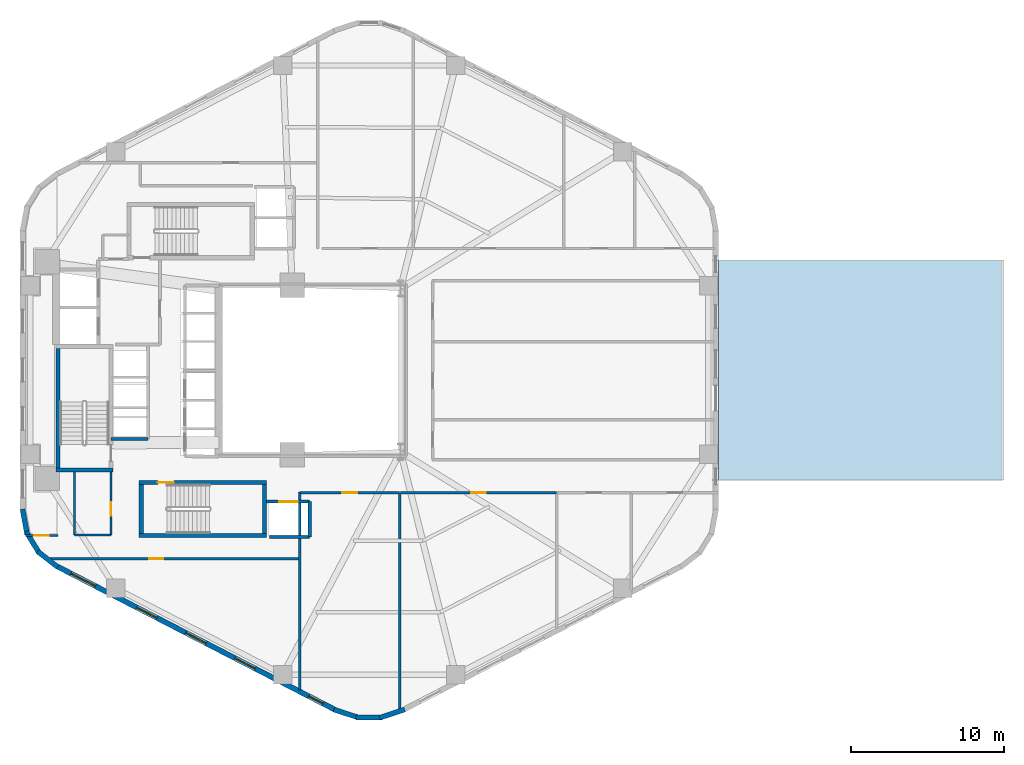
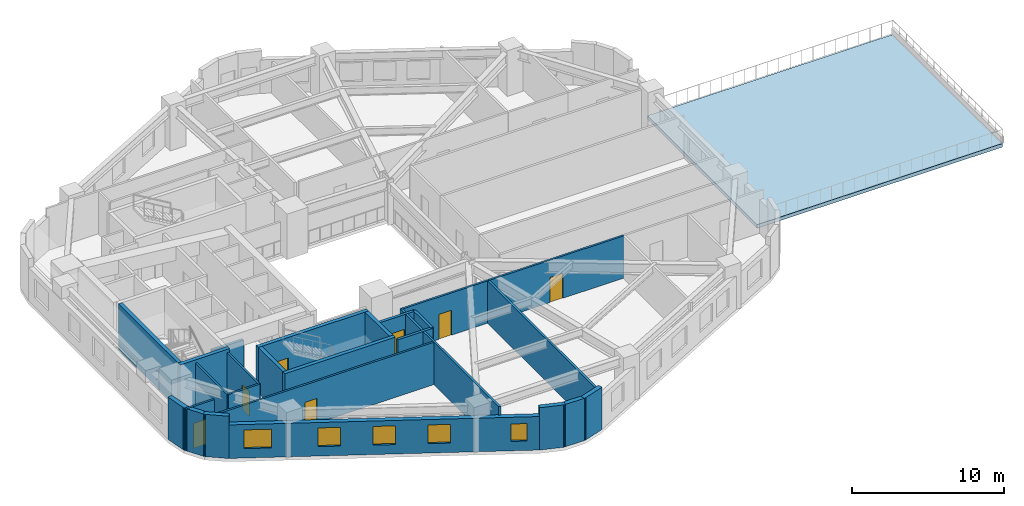
# One storey, part 2 of 8: 26 walls, 7 doors, 5 windows, 1 slab, 12 openings, 1 element without a shape of its own.
"""IFC4 building model written with IfcOpenShell, lengths in metres."""

from ifc_helpers import new_model, si_unit, direction, frame, frame_2d, origin, place, context, subcontext, project, spatial, polyline, rectangle, outline, extrude, material, layer, layer_set, type_object, element, fill, aggregate, save


model = new_model("IFC4")

# Units and contexts
model_context = context("Model", 3, precision=1e-05, world=origin(), true_north=direction((0.0, 1.0)))
body_context = subcontext(model_context, "Body", "Model", "MODEL_VIEW")
ifc_project = project(units=[si_unit("LENGTHUNIT", "METRE"), si_unit("AREAUNIT", "SQUARE_METRE"), si_unit("VOLUMEUNIT", "CUBIC_METRE"), si_unit("PLANEANGLEUNIT", "RADIAN"), si_unit("MASSUNIT", "GRAM", prefix="KILO"), si_unit("THERMODYNAMICTEMPERATUREUNIT", "KELVIN"), si_unit("POWERUNIT", "WATT")], contexts=[model_context])

# Site, building, storey
site_placement = place(None, origin())
site = spatial("IfcSite", under=ifc_project, at=site_placement, CompositionType="ELEMENT")
building_placement = place(site_placement, origin())
building = spatial("IfcBuilding", under=site, at=building_placement, Name="Skarre Station Tower", CompositionType="ELEMENT")
storey_placement = place(building_placement, frame((0.0, 0.0, 63.5)))
storey = spatial("IfcBuildingStorey", under=building, at=storey_placement, Name="L16", CompositionType="ELEMENT", Elevation=63.5)

# Roof, slab
ifc_material_1 = material(Name="Precast concrete C40/50", Category="concrete")
ifc_layer_1 = layer(ifc_material_1, 0.320068359375, Name="Precast concrete C40/50")
ifc_layer_set_1 = layer_set([ifc_layer_1], Name="Precast concrete C40/50")
roof_type = type_object("IfcRoofType", Name="Insulated Standing-Seam & Inverted Ballasted Roof Assembly", PredefinedType="FLAT_ROOF", material=ifc_layer_set_1)
roof_placement = place(storey_placement, origin())
roof = element("IfcRoof", 1, at=roof_placement, inside=storey, type_object=roof_type, Name="L16 SB-1 Sky-Bar Roof Assembly", PredefinedType="FLAT_ROOF")
ifc_material_2 = material(Name="Concrete C50/60", Category="concrete")
ifc_layer_2 = layer(ifc_material_2, 0.284912109375, Name="Concrete C50/60")
ifc_layer_set_2 = layer_set([ifc_layer_2], Name="Concrete C50/60")
slab_type = type_object("IfcSlabType", Name="Occupied Terrace Roof Deck Slab 285", PredefinedType="ROOF", material=ifc_layer_set_2)
slab_placement = place(storey_placement, frame((0.0, 0.0, -0.284912109375)))
slab = element("IfcSlab", 2, at=slab_placement, type_object=slab_type, Name="L16 SB-1 Sky-Bar Roof Terrace Deck", PredefinedType="ROOF", context=body_context, shape_type="SweptSolid", body=[
    extrude(outline(polyline([(60.27294921875, 31.199951171875), (60.27294921875, 16.800048828125), (78.863037109375, 16.800048828125), (78.863037109375, 31.199951171875), (60.27294921875, 31.199951171875)])), origin(), (0.0, 0.0, 1.0), 0.284912109375),
])
aggregate(roof, [slab])

# Walls
ifc_material_3 = material(Name="Acoustic Steel-Stud Gypsum Partition", Category="steel")
ifc_layer_3 = layer(ifc_material_3, 0.14990234375, Name="Acoustic Steel-Stud Gypsum Partition")
ifc_layer_set_3 = layer_set([ifc_layer_3], Name="Acoustic Steel-Stud Gypsum Partition")
wall_type_1 = type_object("IfcWallType", Name="Fire-Rated Corridor Acoustic Partition 150", PredefinedType="PARTITIONING", material=ifc_layer_set_3)
wall_1_placement = place(storey_placement, frame((18.10009765625, 17.340087890625, 0.0), z_axis=(0.0, 0.0, 1.0), x_axis=(0.0, -1.0, 0.0)))
element("IfcWall", 3, at=wall_1_placement, inside=storey, type_object=wall_type_1, Name="L16 Interior Partition WL-PT-L16-CSVC-W", PredefinedType="PARTITIONING", context=body_context, shape_type="SweptSolid", body=[
    extrude(rectangle(XDim=4.14013671875, YDim=0.14990234375, at=frame_2d((2.070068359375, 0.0))), origin(), (0.0, 0.0, 1.0), 3.389892578125),
])
wall_2_placement = place(storey_placement, frame((18.10009765625, 13.199951171875, 0.0), z_axis=(0.0, 0.0, 1.0), x_axis=(1.0, 0.0, 0.0)))
element("IfcWall", 4, at=wall_2_placement, inside=storey, type_object=wall_type_1, Name="L16 Interior Partition WL-PT-L16-CSVC-S", PredefinedType="PARTITIONING", context=body_context, shape_type="SweptSolid", body=[
    extrude(rectangle(XDim=2.389892578125, YDim=0.14990234375, at=frame_2d((1.19482421875, 0.0))), origin(), (0.0, 0.0, 1.0), 3.389892578125),
])

# Wall, opening, door
wall_3_placement = place(storey_placement, frame((20.489990234375, 13.199951171875, 0.0), z_axis=(0.0, 0.0, 1.0), x_axis=(0.0, 1.0, 0.0)))
wall_3 = element("IfcWall", 5, at=wall_3_placement, inside=storey, type_object=wall_type_1, Name="L16 Interior Partition WL-PT-L16-CSVC-E", PredefinedType="PARTITIONING", context=body_context, shape_type="SweptSolid", body=[
    extrude(rectangle(XDim=4.14013671875, YDim=0.14990234375, at=frame_2d((2.070068359375, 0.0))), origin(), (0.0, 0.0, 1.0), 3.389892578125),
])
opening_1_placement = place(wall_3_placement, frame((1.25, 0.0, 0.0)))
opening_1 = element("IfcOpeningElement", 6, at=opening_1_placement, cuts=wall_3, Name="Opening DR-SVC90", PredefinedType="OPENING", context=body_context, shape_type="SweptSolid", body=[
    extrude(rectangle(XDim=0.89990234375, YDim=2.0, at=frame_2d((0.449951171875, 1.0))), frame((0.0, 0.0849609375, 0.0), z_axis=(0.0, -1.0, 0.0), x_axis=(1.0, 0.0, 0.0)), (0.0, 0.0, 1.0), 0.169921875),
])
ifc_material_4 = material(Name="Powder-Coated Hollow-Metal Acoustic Fire Leaf", Category="steel")
door_type_1 = type_object("IfcDoorType", Name="Service & Riser Fire Door FD60 900x2100", OperationType="SINGLE_SWING_LEFT", PredefinedType="DOOR", material=ifc_material_4)
door_1_placement = place(opening_1_placement, origin())
door_1 = element("IfcDoor", 7, at=door_1_placement, inside=storey, type_object=door_type_1, Name="L16 Core Pantry Door", OperationType="SINGLE_SWING_LEFT", OverallHeight=2.0, OverallWidth=0.89990234375, PredefinedType="DOOR", context=body_context, shape_type="SweptSolid", body=[
    extrude(rectangle(XDim=0.89990234375, YDim=2.0, at=frame_2d((0.449951171875, 1.0))), frame((0.0, 0.02490234375, 0.0), z_axis=(0.0, -1.0, 0.0), x_axis=(1.0, 0.0, 0.0)), (0.0, 0.0, 1.0), 0.050048828125),
])
fill(opening_1, door_1)

wall_4_placement = place(storey_placement, frame((16.487060546875, 11.639892578125, 0.0), z_axis=(0.0, 0.0, 1.0), x_axis=(1.0, 0.0, 0.0)))
wall_4 = element("IfcWall", 8, at=wall_4_placement, inside=storey, type_object=wall_type_1, Name="L16 Interior Partition WL-PT-L16-SWP-N", PredefinedType="PARTITIONING", context=body_context, shape_type="SweptSolid", body=[
    extrude(rectangle(XDim=16.363037109375, YDim=0.14990234375, at=frame_2d((8.181640625, 0.0))), origin(), (0.0, 0.0, 1.0), 3.389892578125),
])
opening_2_placement = place(wall_4_placement, frame((6.512939453125, 0.0, 0.0)))
opening_2 = element("IfcOpeningElement", 9, at=opening_2_placement, cuts=wall_4, Name="Opening DR-SVC90", PredefinedType="OPENING", context=body_context, shape_type="SweptSolid", body=[
    extrude(rectangle(XDim=0.89990234375, YDim=2.0, at=frame_2d((0.449951171875, 1.0))), frame((0.0, 0.0849609375, 0.0), z_axis=(0.0, -1.0, 0.0), x_axis=(1.0, 0.0, 0.0)), (0.0, 0.0, 1.0), 0.169921875),
])
door_2_placement = place(opening_2_placement, origin())
door_2 = element("IfcDoor", 10, at=door_2_placement, inside=storey, type_object=door_type_1, Name="L16 Floor Public Toilets Door", OperationType="SINGLE_SWING_LEFT", OverallHeight=2.0, OverallWidth=0.89990234375, PredefinedType="DOOR", context=body_context, shape_type="SweptSolid", body=[
    extrude(rectangle(XDim=0.89990234375, YDim=2.0, at=frame_2d((0.449951171875, 1.0))), frame((0.0, 0.02490234375, 0.0), z_axis=(0.0, -1.0, 0.0), x_axis=(1.0, 0.0, 0.0)), (0.0, 0.0, 1.0), 0.050048828125),
])
fill(opening_2, door_2)

wall_5_placement = place(storey_placement, frame((17.02001953125, 13.159912109375, 0.0), z_axis=(0.0, 0.0, 1.0), x_axis=(-1.0, 0.0, 0.0)))
wall_5 = element("IfcWall", 11, at=wall_5_placement, inside=storey, type_object=wall_type_1, Name="L16 Interior Partition WL-PT-L16-WW1-CW", PredefinedType="PARTITIONING", context=body_context, shape_type="SweptSolid", body=[
    extrude(rectangle(XDim=2.1201171875, YDim=0.14990234375, at=frame_2d((1.06005859375, 0.0))), origin(), (0.0, 0.0, 1.0), 3.389892578125),
])
opening_3_placement = place(wall_5_placement, frame((0.596923828125, 0.0, 0.0)))
opening_3 = element("IfcOpeningElement", 12, at=opening_3_placement, cuts=wall_5, Name="Opening DR-FD60", PredefinedType="OPENING", context=body_context, shape_type="SweptSolid", body=[
    extrude(rectangle(XDim=0.9599609375, YDim=2.0, at=frame_2d((0.47998046875, 1.0))), frame((0.0, 0.0849609375, 0.0), z_axis=(0.0, -1.0, 0.0), x_axis=(1.0, 0.0, 0.0)), (0.0, 0.0, 1.0), 0.169921875),
])
ifc_material_5 = material(Name="Nordic White-Oak Veneer Solid-Core Fire Leaf", Category="wood")
door_type_2 = type_object("IfcDoorType", Name="Corridor Suite Entry Fire Door FD60 960x2150", OperationType="SINGLE_SWING_LEFT", PredefinedType="DOOR", material=ifc_material_5)
door_3_placement = place(opening_3_placement, origin())
door_3 = element("IfcDoor", 13, at=door_3_placement, inside=storey, type_object=door_type_2, Name="L16 WW1 Entry Door", OperationType="SINGLE_SWING_LEFT", OverallHeight=2.0, OverallWidth=0.9599609375, PredefinedType="DOOR", context=body_context, shape_type="SweptSolid", body=[
    extrude(rectangle(XDim=0.9599609375, YDim=2.0, at=frame_2d((0.47998046875, 1.0))), frame((0.0, 0.02490234375, 0.0), z_axis=(0.0, -1.0, 0.0), x_axis=(1.0, 0.0, 0.0)), (0.0, 0.0, 1.0), 0.050048828125),
])
fill(opening_3, door_3)

wall_6_placement = place(storey_placement, frame((32.85009765625, 15.9599609375, 0.0), z_axis=(0.0, 0.0, 1.0), x_axis=(1.0, 0.0, 0.0)))
wall_6 = element("IfcWall", 14, at=wall_6_placement, inside=storey, type_object=wall_type_1, Name="L16 Interior Partition WL-PT-L16-SW1-CW", PredefinedType="PARTITIONING", context=body_context, shape_type="SweptSolid", body=[
    extrude(rectangle(XDim=6.5419921875, YDim=0.14990234375, at=frame_2d((3.27099609375, 0.0))), origin(), (0.0, 0.0, 1.0), 3.389892578125),
])
opening_4_placement = place(wall_6_placement, frame((2.791015625, 0.0, 0.0)))
opening_4 = element("IfcOpeningElement", 15, at=opening_4_placement, cuts=wall_6, Name="Opening DR-FD60", PredefinedType="OPENING", context=body_context, shape_type="SweptSolid", body=[
    extrude(rectangle(XDim=0.9599609375, YDim=2.0, at=frame_2d((0.47998046875, 1.0))), frame((0.0, 0.0849609375, 0.0), z_axis=(0.0, -1.0, 0.0), x_axis=(1.0, 0.0, 0.0)), (0.0, 0.0, 1.0), 0.169921875),
])
door_4_placement = place(opening_4_placement, origin())
door_4 = element("IfcDoor", 16, at=door_4_placement, inside=storey, type_object=door_type_2, Name="L16 SW1 Entry Door", OperationType="SINGLE_SWING_LEFT", OverallHeight=2.0, OverallWidth=0.9599609375, PredefinedType="DOOR", context=body_context, shape_type="SweptSolid", body=[
    extrude(rectangle(XDim=0.9599609375, YDim=2.0, at=frame_2d((0.47998046875, 1.0))), frame((0.0, 0.02490234375, 0.0), z_axis=(0.0, -1.0, 0.0), x_axis=(1.0, 0.0, 0.0)), (0.0, 0.0, 1.0), 0.050048828125),
])
fill(opening_4, door_4)

wall_7_placement = place(storey_placement, frame((39.427978515625, 15.9599609375, 0.0), z_axis=(0.0, 0.0, 1.0), x_axis=(1.0, 0.0, 0.0)))
wall_7 = element("IfcWall", 17, at=wall_7_placement, inside=storey, type_object=wall_type_1, Name="L16 Interior Partition WL-PT-L16-SW2-CW", PredefinedType="PARTITIONING", context=body_context, shape_type="SweptSolid", body=[
    extrude(rectangle(XDim=10.240966796875, YDim=0.14990234375, at=frame_2d((5.12060546875, 0.0))), origin(), (0.0, 0.0, 1.0), 3.389892578125),
])
opening_5_placement = place(wall_7_placement, frame((4.64111328125, 0.0, 0.0)))
opening_5 = element("IfcOpeningElement", 18, at=opening_5_placement, cuts=wall_7, Name="Opening DR-FD60", PredefinedType="OPENING", context=body_context, shape_type="SweptSolid", body=[
    extrude(rectangle(XDim=0.9599609375, YDim=2.0, at=frame_2d((0.47998046875, 1.0))), frame((0.0, 0.0849609375, 0.0), z_axis=(0.0, -1.0, 0.0), x_axis=(1.0, 0.0, 0.0)), (0.0, 0.0, 1.0), 0.169921875),
])
door_5_placement = place(opening_5_placement, origin())
door_5 = element("IfcDoor", 19, at=door_5_placement, inside=storey, type_object=door_type_2, Name="L16 SW2 Entry Door", OperationType="SINGLE_SWING_LEFT", OverallHeight=2.0, OverallWidth=0.9599609375, PredefinedType="DOOR", context=body_context, shape_type="SweptSolid", body=[
    extrude(rectangle(XDim=0.9599609375, YDim=2.0, at=frame_2d((0.47998046875, 1.0))), frame((0.0, 0.02490234375, 0.0), z_axis=(0.0, -1.0, 0.0), x_axis=(1.0, 0.0, 0.0)), (0.0, 0.0, 1.0), 0.050048828125),
])
fill(opening_5, door_5)

# Wall, openings, windows
ifc_material_6 = material(Name="Precast concrete C45/55", Category="concrete")
ifc_layer_4 = layer(ifc_material_6, 0.340087890625, Name="Precast concrete C45/55")
ifc_layer_set_4 = layer_set([ifc_layer_4], Name="Precast concrete C45/55")
wall_type_2 = type_object("IfcWallType", Name="Nordic Honed Precast Facet Wall 340", PredefinedType="STANDARD", material=ifc_layer_set_4)
wall_8_placement = place(storey_placement, frame((35.1689453125, 1.742919921875, 0.0), z_axis=(0.0, 0.0, 1.0), x_axis=(-0.888634413993, 0.458616264721, 0.0)))
wall_8 = element("IfcWall", 20, at=wall_8_placement, inside=storey, type_object=wall_type_2, Name="L16 Facet 3 Nordic Precast Masonry Wall", PredefinedType="STANDARD", context=body_context, shape_type="SweptSolid", body=[
    extrude(rectangle(XDim=20.53125, YDim=0.340087890625, at=frame_2d((10.265625, 0.0))), origin(), (0.0, 0.0, 1.0), 2.68408203125),
])
opening_6_placement = place(wall_8_placement, frame((0.902099609375, 0.0, 0.75)))
opening_6 = element("IfcOpeningElement", 21, at=opening_6_placement, cuts=wall_8, Name="Opening WN-SLT", PredefinedType="OPENING", context=body_context, shape_type="SweptSolid", body=[
    extrude(rectangle(XDim=1.050048828125, YDim=1.39990234375, at=frame_2d((0.52490234375, 0.699951171875))), frame((0.0, 0.179931640625, 0.0), z_axis=(0.0, -1.0, 0.0), x_axis=(1.0, 0.0, 0.0)), (0.0, 0.0, 1.0), 0.360107421875),
])
opening_7_placement = place(wall_8_placement, frame((5.903076171875, 0.0, 0.75)))
opening_7 = element("IfcOpeningElement", 22, at=opening_7_placement, cuts=wall_8, Name="Opening WN-Z1B", PredefinedType="OPENING", context=body_context, shape_type="SweptSolid", body=[
    extrude(rectangle(XDim=1.5, YDim=1.5, at=frame_2d((0.75, 0.75))), frame((0.0, 0.179931640625, 0.0), z_axis=(0.0, -1.0, 0.0), x_axis=(1.0, 0.0, 0.0)), (0.0, 0.0, 1.0), 0.360107421875),
])
opening_8_placement = place(wall_8_placement, frame((9.51611328125, 0.0, 0.75)))
opening_8 = element("IfcOpeningElement", 23, at=opening_8_placement, cuts=wall_8, Name="Opening WN-Z1B", PredefinedType="OPENING", context=body_context, shape_type="SweptSolid", body=[
    extrude(rectangle(XDim=1.5, YDim=1.5, at=frame_2d((0.75, 0.75))), frame((0.0, 0.179931640625, 0.0), z_axis=(0.0, -1.0, 0.0), x_axis=(1.0, 0.0, 0.0)), (0.0, 0.0, 1.0), 0.360107421875),
])
opening_9_placement = place(wall_8_placement, frame((13.12890625, 0.0, 0.75)))
opening_9 = element("IfcOpeningElement", 24, at=opening_9_placement, cuts=wall_8, Name="Opening WN-Z1B", PredefinedType="OPENING", context=body_context, shape_type="SweptSolid", body=[
    extrude(rectangle(XDim=1.5, YDim=1.5, at=frame_2d((0.75, 0.75))), frame((0.0, 0.179931640625, 0.0), z_axis=(0.0, -1.0, 0.0), x_axis=(1.0, 0.0, 0.0)), (0.0, 0.0, 1.0), 0.360107421875),
])
opening_10_placement = place(wall_8_placement, frame((17.673095703125, 0.0, 0.75)))
opening_10 = element("IfcOpeningElement", 25, at=opening_10_placement, cuts=wall_8, Name="Opening WN-Z1A", PredefinedType="OPENING", context=body_context, shape_type="SweptSolid", body=[
    extrude(rectangle(XDim=1.800048828125, YDim=1.5, at=frame_2d((0.89990234375, 0.75))), frame((0.0, 0.179931640625, 0.0), z_axis=(0.0, -1.0, 0.0), x_axis=(1.0, 0.0, 0.0)), (0.0, 0.0, 1.0), 0.360107421875),
])
ifc_material_7 = material(Name="Low-Iron Triple Glazing with Bronze Anodized Frame", Category="glass")
window_type_1 = type_object("IfcWindowType", Name="Nordic Corner Slot Window 1050x1400", PartitioningType="SINGLE_PANEL", PredefinedType="WINDOW", material=ifc_material_7)
window_1_placement = place(opening_6_placement, origin())
window_1 = element("IfcWindow", 26, at=window_1_placement, inside=storey, type_object=window_type_1, Name="L16 Facade Window WL-FAC-L16-F3-1", OverallHeight=1.39990234375, OverallWidth=1.050048828125, PartitioningType="SINGLE_PANEL", PredefinedType="WINDOW", context=body_context, shape_type="SweptSolid", body=[
    extrude(rectangle(XDim=1.050048828125, YDim=1.39990234375, at=frame_2d((0.52490234375, 0.699951171875))), frame((0.0, 0.030029296875, 0.0), z_axis=(0.0, -1.0, 0.0), x_axis=(1.0, 0.0, 0.0)), (0.0, 0.0, 1.0), 0.06005859375),
])
fill(opening_6, window_1)
window_type_2 = type_object("IfcWindowType", Name="Nordic Punched Triple-Glazed Window 1500x1500", PartitioningType="SINGLE_PANEL", PredefinedType="WINDOW", material=ifc_material_7)
window_2_placement = place(opening_7_placement, origin())
window_2 = element("IfcWindow", 27, at=window_2_placement, inside=storey, type_object=window_type_2, Name="L16 Facade Window WL-FAC-L16-F3-2", OverallHeight=1.5, OverallWidth=1.5, PartitioningType="SINGLE_PANEL", PredefinedType="WINDOW", context=body_context, shape_type="SweptSolid", body=[
    extrude(rectangle(XDim=1.5, YDim=1.5, at=frame_2d((0.75, 0.75))), frame((0.0, 0.030029296875, 0.0), z_axis=(0.0, -1.0, 0.0), x_axis=(1.0, 0.0, 0.0)), (0.0, 0.0, 1.0), 0.06005859375),
])
fill(opening_7, window_2)
window_3_placement = place(opening_8_placement, origin())
window_3 = element("IfcWindow", 28, at=window_3_placement, inside=storey, type_object=window_type_2, Name="L16 Facade Window WL-FAC-L16-F3-3", OverallHeight=1.5, OverallWidth=1.5, PartitioningType="SINGLE_PANEL", PredefinedType="WINDOW", context=body_context, shape_type="SweptSolid", body=[
    extrude(rectangle(XDim=1.5, YDim=1.5, at=frame_2d((0.75, 0.75))), frame((0.0, 0.030029296875, 0.0), z_axis=(0.0, -1.0, 0.0), x_axis=(1.0, 0.0, 0.0)), (0.0, 0.0, 1.0), 0.06005859375),
])
fill(opening_8, window_3)
window_4_placement = place(opening_9_placement, origin())
window_4 = element("IfcWindow", 29, at=window_4_placement, inside=storey, type_object=window_type_2, Name="L16 Facade Window WL-FAC-L16-F3-4", OverallHeight=1.5, OverallWidth=1.5, PartitioningType="SINGLE_PANEL", PredefinedType="WINDOW", context=body_context, shape_type="SweptSolid", body=[
    extrude(rectangle(XDim=1.5, YDim=1.5, at=frame_2d((0.75, 0.75))), frame((0.0, 0.030029296875, 0.0), z_axis=(0.0, -1.0, 0.0), x_axis=(1.0, 0.0, 0.0)), (0.0, 0.0, 1.0), 0.06005859375),
])
fill(opening_9, window_4)
window_type_3 = type_object("IfcWindowType", Name="Nordic Punched Triple-Glazed Window 1800x1500", PartitioningType="SINGLE_PANEL", PredefinedType="WINDOW", material=ifc_material_7)
window_5_placement = place(opening_10_placement, origin())
window_5 = element("IfcWindow", 30, at=window_5_placement, inside=storey, type_object=window_type_3, Name="L16 Facade Window WL-FAC-L16-F3-5", OverallHeight=1.5, OverallWidth=1.800048828125, PartitioningType="SINGLE_PANEL", PredefinedType="WINDOW", context=body_context, shape_type="SweptSolid", body=[
    extrude(rectangle(XDim=1.800048828125, YDim=1.5, at=frame_2d((0.89990234375, 0.75))), frame((0.0, 0.030029296875, 0.0), z_axis=(0.0, -1.0, 0.0), x_axis=(1.0, 0.0, 0.0)), (0.0, 0.0, 1.0), 0.06005859375),
])
fill(opening_10, window_5)

# Walls
ifc_layer_5 = layer(ifc_material_6, 0.330078125, Name="Precast concrete C45/55")
ifc_layer_set_5 = layer_set([ifc_layer_5], Name="Precast concrete C45/55")
wall_type_3 = type_object("IfcWallType", Name="Nordic Rounded Corner Precast Wall 330", PredefinedType="STANDARD", material=ifc_layer_set_5)
wall_9_placement = place(storey_placement, frame((16.998046875, 11.09912109375, 0.0), z_axis=(0.0, 0.0, 1.0), x_axis=(-0.790691856293, 0.61221433207, 0.0)))
element("IfcWall", 31, at=wall_9_placement, inside=storey, type_object=wall_type_3, Name="L16 Rounded Corner Precast Wall F3-1", PredefinedType="STANDARD", context=body_context, shape_type="SweptSolid", body=[
    extrude(rectangle(XDim=1.67578125, YDim=0.330078125, at=frame_2d((0.837890625, 0.0))), origin(), (0.0, 0.0, 1.0), 3.389892578125),
])
wall_10_placement = place(storey_placement, frame((15.798095703125, 11.985107421875, 0.0), z_axis=(0.0, 0.0, 1.0), x_axis=(-0.520584129191, 0.853810379671, 0.0)))
element("IfcWall", 32, at=wall_10_placement, inside=storey, type_object=wall_type_3, Name="L16 Rounded Corner Precast Wall F3-2", PredefinedType="STANDARD", context=body_context, shape_type="SweptSolid", body=[
    extrude(rectangle(XDim=1.677001953125, YDim=0.330078125, at=frame_2d((0.83837890625, 0.0))), origin(), (0.0, 0.0, 1.0), 3.389892578125),
])
wall_11_placement = place(storey_placement, frame((14.991943359375, 13.241943359375, 0.0), z_axis=(0.0, 0.0, 1.0), x_axis=(-0.181714143354, 0.983351397063, 0.0)))
element("IfcWall", 33, at=wall_11_placement, inside=storey, type_object=wall_type_3, Name="L16 Rounded Corner Precast Wall F3-3", PredefinedType="STANDARD", context=body_context, shape_type="SweptSolid", body=[
    extrude(rectangle(XDim=1.677978515625, YDim=0.330078125, at=frame_2d((0.8388671875, 0.0))), origin(), (0.0, 0.0, 1.0), 3.389892578125),
])
wall_12_placement = place(storey_placement, frame((39.718994140625, 1.76904296875, 0.0), z_axis=(0.0, 0.0, 1.0), x_axis=(-0.94976901097, -0.312951794691, 0.0)))
element("IfcWall", 34, at=wall_12_placement, inside=storey, type_object=wall_type_3, Name="L16 Rounded Corner Precast Wall F4-1", PredefinedType="STANDARD", context=body_context, shape_type="SweptSolid", body=[
    extrude(rectangle(XDim=1.722412109375, YDim=0.330078125, at=frame_2d((0.861328125, 0.0))), origin(), (0.0, 0.0, 1.0), 3.389892578125),
])
wall_13_placement = place(storey_placement, frame((38.260986328125, 1.259033203125, 0.0), z_axis=(0.0, 0.0, 1.0), x_axis=(-1.0, 0.0, 0.0)))
element("IfcWall", 35, at=wall_13_placement, inside=storey, type_object=wall_type_3, Name="L16 Rounded Corner Precast Wall F4-2", PredefinedType="STANDARD", context=body_context, shape_type="SweptSolid", body=[
    extrude(rectangle(XDim=1.721923828125, YDim=0.330078125, at=frame_2d((0.86083984375, 0.0))), origin(), (0.0, 0.0, 1.0), 3.389892578125),
])
wall_14_placement = place(storey_placement, frame((36.717041015625, 1.22998046875, 0.0), z_axis=(0.0, 0.0, 1.0), x_axis=(-0.94976901097, 0.312951794691, 0.0)))
element("IfcWall", 36, at=wall_14_placement, inside=storey, type_object=wall_type_3, Name="L16 Rounded Corner Precast Wall F4-3", PredefinedType="STANDARD", context=body_context, shape_type="SweptSolid", body=[
    extrude(rectangle(XDim=1.722412109375, YDim=0.330078125, at=frame_2d((0.861328125, 0.0))), origin(), (0.0, 0.0, 1.0), 3.389892578125),
])
ifc_layer_6 = layer(ifc_material_2, 0.280029296875, Name="Concrete C50/60")
ifc_layer_set_6 = layer_set([ifc_layer_6], Name="Concrete C50/60")
wall_type_4 = type_object("IfcWallType", Name="RC Core Shear Wall 280", PredefinedType="SHEAR", material=ifc_layer_set_6)
wall_15_placement = place(storey_placement, frame((16.8701171875, 17.4599609375, 0.0), z_axis=(0.0, 0.0, 1.0), x_axis=(1.0, 0.0, 0.0)))
element("IfcWall", 37, at=wall_15_placement, inside=storey, type_object=wall_type_4, Name="L16 Stair ST-1 South Shear Wall", PredefinedType="SHEAR", context=body_context, shape_type="SweptSolid", body=[
    extrude(rectangle(XDim=3.759765625, YDim=0.280029296875, at=frame_2d((1.8798828125, 0.0))), origin(), (0.0, 0.0, 1.0), 3.64990234375),
])
wall_16_placement = place(storey_placement, frame((17.010009765625, 25.39990234375, 0.0), z_axis=(0.0, 0.0, 1.0), x_axis=(0.0, -1.0, 0.0)))
element("IfcWall", 38, at=wall_16_placement, inside=storey, type_object=wall_type_4, Name="L16 Stair ST-1 West Shear Wall", PredefinedType="SHEAR", context=body_context, shape_type="SweptSolid", body=[
    extrude(rectangle(XDim=7.7998046875, YDim=0.280029296875, at=frame_2d((3.89990234375, 0.0))), origin(), (0.0, 0.0, 1.0), 3.64990234375),
])
wall_17_placement = place(storey_placement, frame((22.320068359375, 13.159912109375, 0.0), z_axis=(0.0, 0.0, 1.0), x_axis=(1.0, 0.0, 0.0)))
element("IfcWall", 39, at=wall_17_placement, inside=storey, type_object=wall_type_4, Name="L16 Stair ST-2 South Shear Wall", PredefinedType="SHEAR", context=body_context, shape_type="SweptSolid", body=[
    extrude(rectangle(XDim=8.35986328125, YDim=0.280029296875, at=frame_2d((4.179931640625, 0.0))), origin(), (0.0, 0.0, 1.0), 3.64990234375),
])

# Wall, opening, door
wall_18_placement = place(storey_placement, frame((30.679931640625, 16.639892578125, 0.0), z_axis=(0.0, 0.0, 1.0), x_axis=(-1.0, 0.0, 0.0)))
wall_18 = element("IfcWall", 40, at=wall_18_placement, inside=storey, type_object=wall_type_4, Name="L16 Stair ST-2 North Shear Wall", PredefinedType="SHEAR", context=body_context, shape_type="SweptSolid", body=[
    extrude(rectangle(XDim=8.35986328125, YDim=0.280029296875, at=frame_2d((4.179931640625, 0.0))), origin(), (0.0, 0.0, 1.0), 3.64990234375),
])
opening_11_placement = place(wall_18_placement, frame((6.080078125, 0.0, 0.0)))
opening_11 = element("IfcOpeningElement", 41, at=opening_11_placement, cuts=wall_18, Name="Opening DR-FD90", PredefinedType="OPENING", context=body_context, shape_type="SweptSolid", body=[
    extrude(rectangle(XDim=1.050048828125, YDim=2.0, at=frame_2d((0.52490234375, 1.0))), frame((0.0, 0.14990234375, 0.0), z_axis=(0.0, -1.0, 0.0), x_axis=(1.0, 0.0, 0.0)), (0.0, 0.0, 1.0), 0.300048828125),
])
ifc_material_8 = material(Name="Fire-Rated Insulated Steel Frame & Timber Core Leaf", Category="steel")
door_type_3 = type_object("IfcDoorType", Name="Stair & FSAE Lobby Fire Door FD90 1050x2150", OperationType="SINGLE_SWING_RIGHT", PredefinedType="DOOR", material=ifc_material_8)
door_6_placement = place(opening_11_placement, origin())
door_6 = element("IfcDoor", 42, at=door_6_placement, inside=storey, type_object=door_type_3, Name="L16 Stair ST-2 Exit Door", OperationType="SINGLE_SWING_RIGHT", OverallHeight=2.0, OverallWidth=1.050048828125, PredefinedType="DOOR", context=body_context, shape_type="SweptSolid", body=[
    extrude(rectangle(XDim=1.050048828125, YDim=2.0, at=frame_2d((0.52490234375, 1.0))), frame((0.0, 0.02490234375, 0.0), z_axis=(0.0, -1.0, 0.0), x_axis=(1.0, 0.0, 0.0)), (0.0, 0.0, 1.0), 0.050048828125),
])
fill(opening_11, door_6)

# Walls
for number, where, z_axis, x_axis, name in (
    (43, (22.4599609375, 16.5, 0.0), (0.0, 0.0, 1.0), (0.0, -1.0, 0.0), "L16 Stair ST-2 West Shear Wall"),
    (44, (30.5400390625, 13.300048828125, 0.0), (0.0, 0.0, 1.0), (0.0, 1.0, 0.0), "L16 Stair ST-2 East Shear Wall"),
):
    element("IfcWall", number, at=place(storey_placement, frame(where, z_axis=z_axis, x_axis=x_axis)), inside=storey, type_object=wall_type_4, Name=name, PredefinedType="SHEAR", context=body_context, shape_type="SweptSolid", body=[
        extrude(rectangle(XDim=3.199951171875, YDim=0.280029296875, at=frame_2d((1.60009765625, 0.0))), origin(), (0.0, 0.0, 1.0), 3.64990234375),
    ])

# Wall, opening, door
ifc_material_9 = material(Name="Gypsum Concrete Shaft Assembly C30/37", Category="concrete")
ifc_layer_7 = layer(ifc_material_9, 0.199951171875, Name="Gypsum Concrete Shaft Assembly C30/37")
ifc_layer_set_7 = layer_set([ifc_layer_7], Name="Gypsum Concrete Shaft Assembly C30/37")
wall_type_5 = type_object("IfcWallType", Name="Shaft & Core Fire Partition 200", PredefinedType="PARTITIONING", material=ifc_layer_set_7)
wall_19_placement = place(storey_placement, frame((33.5, 15.3798828125, 0.0), z_axis=(0.0, 0.0, 1.0), x_axis=(-1.0, 0.0, 0.0)))
wall_19 = element("IfcWall", 45, at=wall_19_placement, inside=storey, type_object=wall_type_5, Name="L16 Interior Partition WL-PT-L16-SV1-N", PredefinedType="PARTITIONING", context=body_context, shape_type="SweptSolid", body=[
    extrude(rectangle(XDim=2.820068359375, YDim=0.199951171875, at=frame_2d((1.41015625, 0.0))), origin(), (0.0, 0.0, 1.0), 3.389892578125),
])
opening_12_placement = place(wall_19_placement, frame((0.800048828125, 0.0, 0.0)))
opening_12 = element("IfcOpeningElement", 46, at=opening_12_placement, cuts=wall_19, Name="Opening LD-SV1", PredefinedType="OPENING", context=body_context, shape_type="SweptSolid", body=[
    extrude(rectangle(XDim=1.199951171875, YDim=2.199951171875, at=frame_2d((0.60009765625, 1.10009765625))), frame((0.0, 0.10986328125, 0.0), z_axis=(0.0, -1.0, 0.0), x_axis=(1.0, 0.0, 0.0)), (0.0, 0.0, 1.0), 0.219970703125),
])
ifc_material_10 = material(Name="Heavy-Gauge Brushed Stainless Steel Sliding Leaves", Category="steel")
door_type_4 = type_object("IfcDoorType", Name="Service Elevator Wide Sliding Landing Door 1200x2200", OperationType="SLIDING_TO_RIGHT", PredefinedType="DOOR", material=ifc_material_10)
door_7_placement = place(opening_12_placement, origin())
door_7 = element("IfcDoor", 47, at=door_7_placement, inside=storey, type_object=door_type_4, Name="L16 Service Lift LF-SV1 Landing Door", OperationType="SLIDING_TO_RIGHT", OverallHeight=2.199951171875, OverallWidth=1.199951171875, PredefinedType="DOOR", context=body_context, shape_type="SweptSolid", body=[
    extrude(rectangle(XDim=1.199951171875, YDim=2.199951171875, at=frame_2d((0.60009765625, 1.10009765625))), frame((0.0, 0.02490234375, 0.0), z_axis=(0.0, -1.0, 0.0), x_axis=(1.0, 0.0, 0.0)), (0.0, 0.0, 1.0), 0.050048828125),
])
fill(opening_12, door_7)

# Walls
wall_20_placement = place(storey_placement, frame((33.5, 13.080078125, 0.0), z_axis=(0.0, 0.0, 1.0), x_axis=(0.0, 1.0, 0.0)))
element("IfcWall", 48, at=wall_20_placement, inside=storey, type_object=wall_type_5, Name="L16 Interior Partition WL-PT-L16-SV1-E", PredefinedType="PARTITIONING", context=body_context, shape_type="SweptSolid", body=[
    extrude(rectangle(XDim=2.2998046875, YDim=0.199951171875, at=frame_2d((1.14990234375, 0.0))), origin(), (0.0, 0.0, 1.0), 3.389892578125),
])
wall_21_placement = place(storey_placement, frame((30.87890625, 13.080078125, 0.0), z_axis=(0.0, 0.0, 1.0), x_axis=(1.0, 0.0, 0.0)))
element("IfcWall", 49, at=wall_21_placement, inside=storey, type_object=wall_type_5, Name="L16 Interior Partition WL-PT-L16-SV1-S", PredefinedType="PARTITIONING", context=body_context, shape_type="SweptSolid", body=[
    extrude(rectangle(XDim=2.62109375, YDim=0.199951171875, at=frame_2d((1.310546875, 0.0))), origin(), (0.0, 0.0, 1.0), 3.389892578125),
])
wall_22_placement = place(storey_placement, frame((20.489990234375, 19.5, 0.0), z_axis=(0.0, 0.0, 1.0), x_axis=(1.0, 0.0, 0.0)))
element("IfcWall", 50, at=wall_22_placement, inside=storey, type_object=wall_type_5, Name="L16 Interior Partition WL-PT-L16-B3-S", PredefinedType="PARTITIONING", context=body_context, shape_type="SweptSolid", body=[
    extrude(rectangle(XDim=2.409912109375, YDim=0.199951171875, at=frame_2d((1.205078125, 0.0))), origin(), (0.0, 0.0, 1.0), 2.2900390625),
])
ifc_layer_8 = layer(ifc_material_3, 0.1650390625, Name="Acoustic Steel-Stud Gypsum Partition")
ifc_layer_set_8 = layer_set([ifc_layer_8], Name="Acoustic Steel-Stud Gypsum Partition")
wall_type_6 = type_object("IfcWallType", Name="Suite Demising Acoustic Partition 165", PredefinedType="PARTITIONING", material=ifc_layer_set_8)
wall_23_placement = place(storey_placement, frame((32.85009765625, 3.06396484375, 0.0), z_axis=(0.0, 0.0, 1.0), x_axis=(0.0, 1.0, 0.0)))
element("IfcWall", 51, at=wall_23_placement, inside=storey, type_object=wall_type_6, Name="L16 Interior Partition WL-PT-L16-SWP-E", PredefinedType="PARTITIONING", context=body_context, shape_type="SweptSolid", body=[
    extrude(rectangle(XDim=12.966064453125, YDim=0.1650390625, at=frame_2d((6.48291015625, 0.0))), origin(), (0.0, 0.0, 1.0), 3.389892578125),
])
wall_24_placement = place(storey_placement, frame((39.409912109375, 1.799072265625, 0.0), z_axis=(0.0, 0.0, 1.0), x_axis=(0.0, 1.0, 0.0)))
element("IfcWall", 52, at=wall_24_placement, inside=storey, type_object=wall_type_6, Name="L16 Interior Partition WL-PT-L16-SW-P1", PredefinedType="PARTITIONING", context=body_context, shape_type="SweptSolid", body=[
    extrude(rectangle(XDim=14.130859375, YDim=0.1650390625, at=frame_2d((7.0654296875, 0.0))), origin(), (0.0, 0.0, 1.0), 3.389892578125),
])

save(model, "model.ifc")
